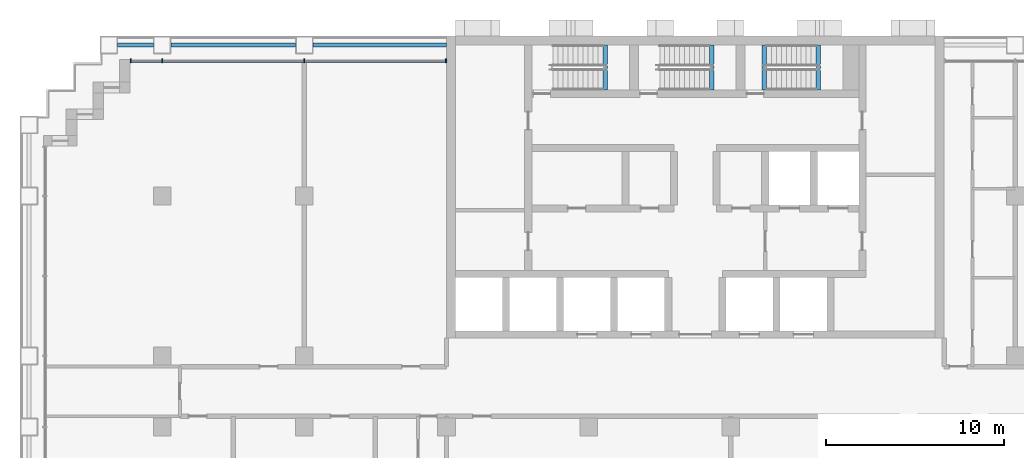
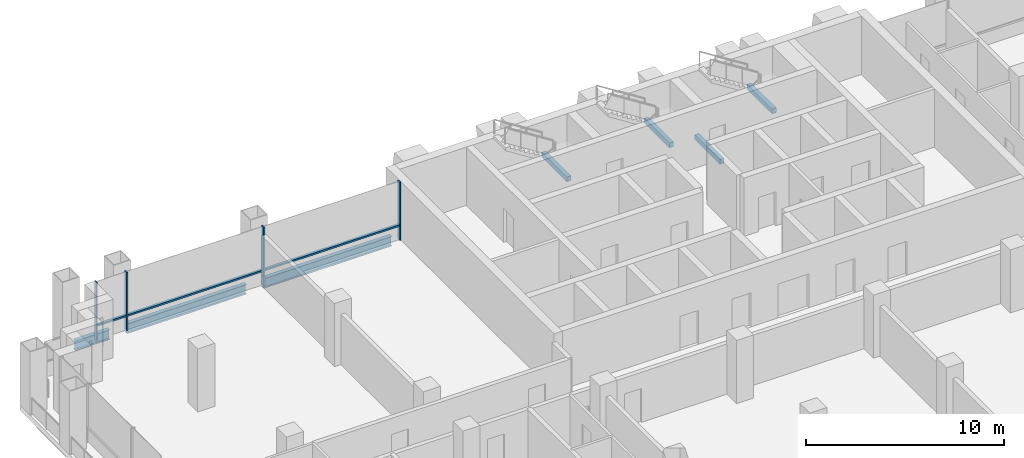
# One storey, part 4 of 13: 7 beams, 7 members, 1 element without a shape of its own.
"""IFC4 building model written with IfcOpenShell, lengths in metres."""

from ifc_helpers import new_model, si_unit, direction, frame, origin, origin_2d, place, context, subcontext, project, spatial, rectangle, i_section, extrude, material, material_profile, profile_set, type_object, element, aggregate, save


model = new_model("IFC4")

# Units and contexts
model_context = context("Model", 3, precision=1e-05, world=origin(), true_north=direction((0.0, 1.0)))
body_context = subcontext(model_context, "Body", "Model", "MODEL_VIEW")
ifc_project = project(units=[si_unit("LENGTHUNIT", "METRE"), si_unit("AREAUNIT", "SQUARE_METRE"), si_unit("VOLUMEUNIT", "CUBIC_METRE"), si_unit("PLANEANGLEUNIT", "RADIAN"), si_unit("MASSUNIT", "GRAM", prefix="KILO")], contexts=[model_context])

# Site, building, storey
site_placement = place(None, origin())
site = spatial("IfcSite", under=ifc_project, at=site_placement, CompositionType="ELEMENT")
building_placement = place(site_placement, origin())
building = spatial("IfcBuilding", under=site, at=building_placement, Name="Vidyagriha Tower", CompositionType="ELEMENT")
storey_placement = place(building_placement, frame((0.0, 0.0, 29.89990234375)))
storey = spatial("IfcBuildingStorey", under=building, at=storey_placement, Name="L07", CompositionType="ELEMENT", Elevation=29.89990234375)

# Beams
ifc_material_1 = material(Name="Steel ASTM A992 Grade 50", Category="steel")
ifc_material_profile_1 = material_profile(ifc_material_1, i_section(OverallWidth=0.228271484375, OverallDepth=0.607177734375, WebThickness=0.01123046875, FlangeThickness=0.017333984375, at=origin_2d()), Name="W24X76")
ifc_profile_set_1 = profile_set([ifc_material_profile_1], Name="Steel ASTM A992 Grade 50")
beam_type_1 = type_object("IfcBeamType", Name="Edge beam W24X76", PredefinedType="SPANDREL", material=ifc_profile_set_1)
beam_1_placement = place(storey_placement, frame((-32.5, 19.5, -0.603515625), z_axis=(1.0, 0.0, 0.0), x_axis=(0.0, 1.0, 0.0)))
element("IfcBeam", 1, at=beam_1_placement, inside=storey, type_object=beam_type_1, Name="st-beam-L07-NW20", PredefinedType="SPANDREL", context=body_context, shape_type="SweptSolid", body=[
    extrude(i_section(OverallWidth=0.228271484375, OverallDepth=0.607177734375, WebThickness=0.01123046875, FlangeThickness=0.017333984375, at=origin_2d()), origin(), (0.0, 0.0, 1.0), 2.0),
])
beam_2_placement = place(storey_placement, frame((-29.5, 19.5, -0.603515625), z_axis=(1.0, 0.0, 0.0), x_axis=(0.0, 1.0, 0.0)))
element("IfcBeam", 2, at=beam_2_placement, inside=storey, type_object=beam_type_1, Name="st-beam-L07-NW21", PredefinedType="SPANDREL", context=body_context, shape_type="SweptSolid", body=[
    extrude(i_section(OverallWidth=0.228271484375, OverallDepth=0.607177734375, WebThickness=0.01123046875, FlangeThickness=0.017333984375, at=origin_2d()), origin(), (0.0, 0.0, 1.0), 7.0),
])
beam_3_placement = place(storey_placement, frame((-21.5, 19.5, -0.603515625), z_axis=(1.0, 0.0, 0.0), x_axis=(0.0, 1.0, 0.0)))
element("IfcBeam", 3, at=beam_3_placement, inside=storey, type_object=beam_type_1, Name="st-beam-L07-NC24", PredefinedType="SPANDREL", context=body_context, shape_type="SweptSolid", body=[
    extrude(i_section(OverallWidth=0.228271484375, OverallDepth=0.607177734375, WebThickness=0.01123046875, FlangeThickness=0.017333984375, at=origin_2d()), origin(), (0.0, 0.0, 1.0), 7.5),
])

# Curtain wall, members
ifc_material_2 = material(Name="Aluminium and glass curtain wall", Category="aluminium")
curtain_wall_type = type_object("IfcCurtainWallType", Name="Classroom skin unitised curtain wall", PredefinedType="USERDEFINED", material=ifc_material_2)
curtain_wall_placement = place(storey_placement, origin())
curtain_wall = element("IfcCurtainWall", 4, at=curtain_wall_placement, inside=storey, type_object=curtain_wall_type, Name="CW2 classroom skin", ObjectType="UNITISED", PredefinedType="USERDEFINED")
ifc_material_3 = material(Name="Aluminium black anodised", Category="aluminium")
ifc_material_profile_2 = material_profile(ifc_material_3, rectangle(XDim=0.219970703125, YDim=0.070068359375, at=origin_2d()), Name="Mullion 70x220 black aluminium")
ifc_profile_set_2 = profile_set([ifc_material_profile_2], Name="Aluminium black anodised")
member_type_1 = type_object("IfcMemberType", Name="Mullion 70x220 black aluminium", PredefinedType="MULLION", material=ifc_profile_set_2)
member_1_placement = place(storey_placement, frame((-14.034912109375, 18.60009765625, 0.0), z_axis=(0.0, 0.0, 1.0), x_axis=(0.0, -1.0, 0.0)))
member_1 = element("IfcMember", 5, at=member_1_placement, type_object=member_type_1, Name="CW2 mullion 1", PredefinedType="MULLION", context=body_context, shape_type="SweptSolid", body=[
    extrude(rectangle(XDim=0.219970703125, YDim=0.070068359375, at=origin_2d()), origin(), (0.0, 0.0, 1.0), 3.60009765625),
])
member_2_placement = place(storey_placement, frame((-22.0, 18.60009765625, 0.0), z_axis=(0.0, 0.0, 1.0), x_axis=(0.0, -1.0, 0.0)))
member_2 = element("IfcMember", 6, at=member_2_placement, type_object=member_type_1, Name="CW2 mullion 2", PredefinedType="MULLION", context=body_context, shape_type="SweptSolid", body=[
    extrude(rectangle(XDim=0.219970703125, YDim=0.070068359375, at=origin_2d()), origin(), (0.0, 0.0, 1.0), 3.60009765625),
])
member_3_placement = place(storey_placement, frame((-30.0, 18.60009765625, 0.0), z_axis=(0.0, 0.0, 1.0), x_axis=(0.0, -1.0, 0.0)))
member_3 = element("IfcMember", 7, at=member_3_placement, type_object=member_type_1, Name="CW2 mullion 3", PredefinedType="MULLION", context=body_context, shape_type="SweptSolid", body=[
    extrude(rectangle(XDim=0.219970703125, YDim=0.070068359375, at=origin_2d()), origin(), (0.0, 0.0, 1.0), 3.60009765625),
])
member_4_placement = place(storey_placement, frame((-31.764892578125, 18.60009765625, 0.0), z_axis=(0.0, 0.0, 1.0), x_axis=(0.0, -1.0, 0.0)))
member_4 = element("IfcMember", 8, at=member_4_placement, type_object=member_type_1, Name="CW2 mullion 4", PredefinedType="MULLION", context=body_context, shape_type="SweptSolid", body=[
    extrude(rectangle(XDim=0.219970703125, YDim=0.070068359375, at=origin_2d()), origin(), (0.0, 0.0, 1.0), 3.60009765625),
])

# Beams
ifc_material_4 = material(Name="Concrete C40/50", Category="concrete")
ifc_material_profile_3 = material_profile(ifc_material_4, rectangle(XDim=0.25, YDim=0.300048828125, at=origin_2d()), Name="Stair landing bearing beam 250x300")
ifc_profile_set_3 = profile_set([ifc_material_profile_3], Name="Concrete C40/50")
beam_type_2 = type_object("IfcBeamType", Name="Stair landing bearing beam 250x300", PredefinedType="BEAM", material=ifc_profile_set_3)
for number, where, z_axis, x_axis, name in (
    (9, (3.875, 16.949951171875, -0.449951171875), (0.0, 1.0, 0.0), (-1.0, 0.0, 0.0), "ST3 floor landing bearing beam L07"),
    (10, (-5.074951171875, 16.949951171875, 1.60009765625), (0.0, 1.0, 0.0), (-1.0, 0.0, 0.0), "ST1 landing bearing beam L07"),
    (11, (0.925048828125, 16.949951171875, 1.60009765625), (0.0, 1.0, 0.0), (-1.0, 0.0, 0.0), "ST2 landing bearing beam L07"),
    (12, (6.925048828125, 16.949951171875, 1.60009765625), (0.0, 1.0, 0.0), (-1.0, 0.0, 0.0), "ST3 landing bearing beam L07"),
):
    element("IfcBeam", number, at=place(storey_placement, frame(where, z_axis=z_axis, x_axis=x_axis)), inside=storey, type_object=beam_type_2, Name=name, PredefinedType="BEAM", context=body_context, shape_type="SweptSolid", body=[
        extrude(rectangle(XDim=0.25, YDim=0.300048828125, at=origin_2d()), origin(), (0.0, 0.0, 1.0), 2.550048828125),
    ])

# Member
ifc_material_5 = material(Name="Aluminium black anodised", Category="aluminium")
ifc_material_profile_4 = material_profile(ifc_material_5, rectangle(XDim=0.159912109375, YDim=0.10009765625, at=origin_2d()), Name="Transom 100x160 black aluminium")
ifc_profile_set_4 = profile_set([ifc_material_profile_4], Name="Aluminium black anodised")
member_type_2 = type_object("IfcMemberType", Name="Transom 100x160 black aluminium", PredefinedType="USERDEFINED", material=ifc_profile_set_4)
member_5_placement = place(storey_placement, frame((-14.070068359375, 18.60009765625, 0.900146484375), z_axis=(-1.0, 0.0, 0.0), x_axis=(0.0, -1.0, 0.0)))
member_5 = element("IfcMember", 13, at=member_5_placement, type_object=member_type_2, Name="CW2 transom 1.1", ObjectType="TRANSOM", PredefinedType="USERDEFINED", context=body_context, shape_type="SweptSolid", body=[
    extrude(rectangle(XDim=0.159912109375, YDim=0.10009765625, at=origin_2d()), origin(), (0.0, 0.0, 1.0), 7.89501953125),
])

member_6_placement = place(storey_placement, frame((-22.034912109375, 18.60009765625, 0.900146484375), z_axis=(-1.0, 0.0, 0.0), x_axis=(0.0, -1.0, 0.0)))
member_6 = element("IfcMember", 14, at=member_6_placement, type_object=member_type_2, Name="CW2 transom 2.1", ObjectType="TRANSOM", PredefinedType="USERDEFINED", context=body_context, shape_type="SweptSolid", body=[
    extrude(rectangle(XDim=0.159912109375, YDim=0.10009765625, at=origin_2d()), origin(), (0.0, 0.0, 1.0), 7.93017578125),
])

member_7_placement = place(storey_placement, frame((-30.034912109375, 18.60009765625, 0.900146484375), z_axis=(-1.0, 0.0, 0.0), x_axis=(0.0, -1.0, 0.0)))
member_7 = element("IfcMember", 15, at=member_7_placement, type_object=member_type_2, Name="CW2 transom 3.1", ObjectType="TRANSOM", PredefinedType="USERDEFINED", context=body_context, shape_type="SweptSolid", body=[
    extrude(rectangle(XDim=0.159912109375, YDim=0.10009765625, at=origin_2d()), origin(), (0.0, 0.0, 1.0), 1.695068359375),
])

aggregate(curtain_wall, [member_1, member_2, member_3, member_4, member_5, member_6, member_7])

save(model, "model.ifc")
